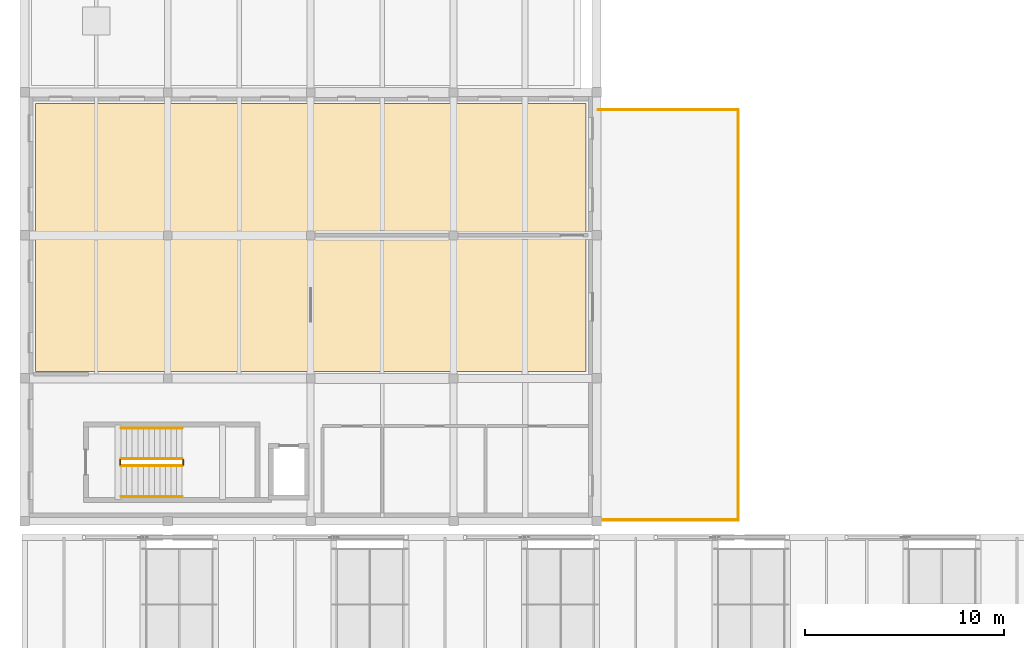
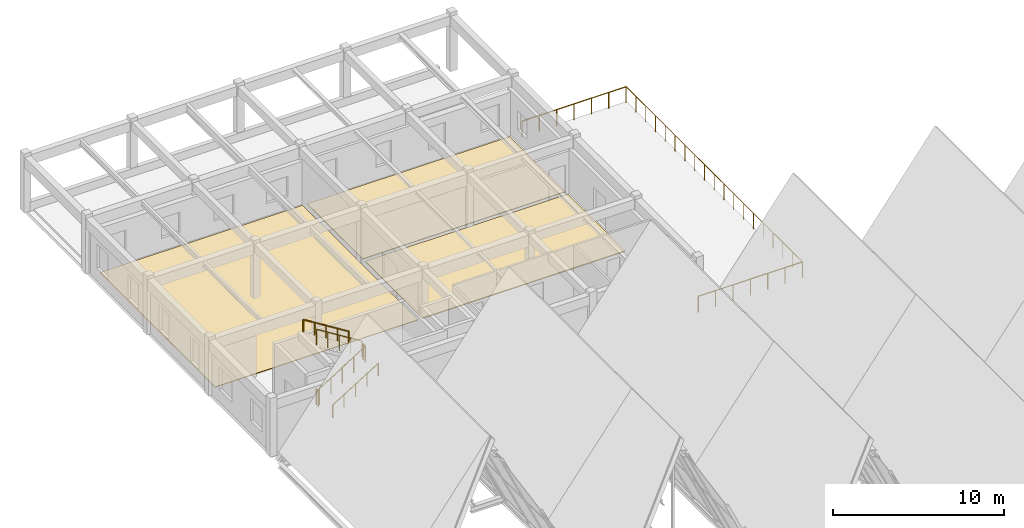
# One storey, part 94 of 99: 9 railings, 3 coverings.
"""IFC4 building model written with IfcOpenShell, lengths in metres."""

from ifc_helpers import new_model, si_unit, direction, frame, origin, origin_2d, place, context, subcontext, project, spatial, polyline, circle, outline, extrude, material, layer, layer_set, type_object, element, save


model = new_model("IFC4")

# Units and contexts
model_context = context("Model", 3, precision=1e-05, world=origin(), true_north=direction((0.0, 1.0)))
body_context = subcontext(model_context, "Body", "Model", "MODEL_VIEW")
ifc_project = project(units=[si_unit("LENGTHUNIT", "METRE"), si_unit("AREAUNIT", "SQUARE_METRE"), si_unit("VOLUMEUNIT", "CUBIC_METRE"), si_unit("PLANEANGLEUNIT", "RADIAN"), si_unit("MASSUNIT", "GRAM", prefix="KILO")], contexts=[model_context])

# Site, building, storey
site_placement = place(None, origin())
site = spatial("IfcSite", under=ifc_project, at=site_placement, CompositionType="ELEMENT")
building_placement = place(site_placement, origin())
building = spatial("IfcBuilding", under=site, at=building_placement, Name="Bramveld Media Centre", CompositionType="ELEMENT")
storey_placement = place(building_placement, frame((0.0, 0.0, 13.800048828125)))
storey = spatial("IfcBuildingStorey", under=building, at=storey_placement, Name="L03", CompositionType="ELEMENT", Elevation=13.800048828125)

# Coverings
ifc_material_1 = material(Name="Floating acoustic screed with smoked European oak studio flooring")
ifc_layer_1 = layer(ifc_material_1, 0.06494140625)
ifc_layer_set_1 = layer_set([ifc_layer_1], Name="Floating acoustic screed with smoked European oak studio flooring")
covering_type_1 = type_object("IfcCoveringType", Name="COV-FLOOR-01", PredefinedType="FLOORING", material=ifc_layer_set_1)
covering_1_placement = place(storey_placement, origin())
element("IfcCovering", 1, at=covering_1_placement, inside=storey, type_object=covering_type_1, Name="Setback Terrace Circulation Lobby finish flooring", PredefinedType="FLOORING", context=body_context, shape_type="SweptSolid", body=[
    extrude(outline(polyline([(14.550048828125, 46.75), (28.25, 46.75), (28.25, 53.449951171875), (14.550048828125, 53.449951171875), (14.550048828125, 46.75)])), origin(), (0.0, 0.0, 1.0), 0.06494140625),
])
ifc_material_2 = material(Name="Honed Belgian bluestone (petit granit) public concourse flooring", Category="masonry")
ifc_layer_2 = layer(ifc_material_2, 0.050048828125)
ifc_layer_set_2 = layer_set([ifc_layer_2], Name="Honed Belgian bluestone (petit granit) public concourse flooring")
covering_type_2 = type_object("IfcCoveringType", Name="COV-FLOOR-02", PredefinedType="FLOORING", material=ifc_layer_set_2)
covering_2_placement = place(storey_placement, origin())
element("IfcCovering", 2, at=covering_2_placement, inside=storey, type_object=covering_type_2, Name="VR & Spatial Cinema Studio finish flooring", PredefinedType="FLOORING", context=body_context, shape_type="SweptSolid", body=[
    extrude(outline(polyline([(14.550048828125, 53.75), (28.25, 53.75), (28.25, 60.25), (14.550048828125, 60.25), (14.550048828125, 53.75)])), origin(), (0.0, 0.0, 1.0), 0.050048828125),
])
ifc_material_3 = material(Name="Anti-static acoustic linoleum editing & vault flooring")
ifc_layer_3 = layer(ifc_material_3, 0.0400390625)
ifc_layer_set_3 = layer_set([ifc_layer_3], Name="Anti-static acoustic linoleum editing & vault flooring")
covering_type_3 = type_object("IfcCoveringType", Name="COV-FLOOR-03", PredefinedType="FLOORING", material=ifc_layer_set_3)
covering_3_placement = place(storey_placement, origin())
element("IfcCovering", 3, at=covering_3_placement, inside=storey, type_object=covering_type_3, Name="Screen 8 Young Audience Micro-Cinema finish flooring", PredefinedType="FLOORING", context=body_context, shape_type="SweptSolid", body=[
    extrude(outline(polyline([(0.550048828125, 46.75), (14.25, 46.75), (14.25, 60.25), (0.550048828125, 60.25), (0.550048828125, 46.75)])), origin(), (0.0, 0.0, 1.0), 0.0400390625),
])

# Railings
ifc_material_4 = material(Name="Painted galvanized steel stairwell guardrail", Category="steel")
railing_type_1 = type_object("IfcRailingType", Name="RAIL-STAIR-GUARD-1150", PredefinedType="GUARDRAIL", material=ifc_material_4)
railing_1_placement = place(storey_placement, frame((4.85009765625, 42.0, 0.175048828125)))
element("IfcRailing", 4, at=railing_1_placement, inside=storey, type_object=railing_type_1, Name="L03 ST-04 stair guard 1", PredefinedType="GUARDRAIL", context=body_context, shape_type="SweptSolid", body=[
    extrude(circle(Radius=0.02392578125, at=origin_2d()), frame((0.0, 0.0, 1.1259765625), z_axis=(0.848009633417, 0.0, 0.529980812513), x_axis=(0.0, 1.0, 0.0)), (0.0, 0.0, 1.0), 3.6318359375),
    extrude(circle(Radius=0.02099609375, at=origin_2d()), origin(), (0.0, 0.0, 1.0), 1.101806640625),
    extrude(circle(Radius=0.02099609375, at=origin_2d()), frame((0.77001953125, 0.0, 0.481201171875)), (0.0, 0.0, 1.0), 1.101806640625),
    extrude(circle(Radius=0.02099609375, at=origin_2d()), frame((1.5400390625, 0.0, 0.96240234375)), (0.0, 0.0, 1.0), 1.101806640625),
    extrude(circle(Radius=0.02099609375, at=origin_2d()), frame((2.309814453125, 0.0, 1.443603515625)), (0.0, 0.0, 1.0), 1.101806640625),
    extrude(circle(Radius=0.02099609375, at=origin_2d()), frame((3.079833984375, 0.0, 1.9248046875)), (0.0, 0.0, 1.0), 1.101806640625),
])
railing_2_placement = place(storey_placement, frame((7.97998046875, 42.050048828125, 2.099853515625)))
element("IfcRailing", 5, at=railing_2_placement, inside=storey, type_object=railing_type_1, Name="L03 ST-04 stair guard 2", PredefinedType="GUARDRAIL", context=body_context, shape_type="SweptSolid", body=[
    extrude(circle(Radius=0.02392578125, at=origin_2d()), frame((0.0, 0.0, 1.1259765625), z_axis=(0.0, 1.0, 0.0), x_axis=(-1.0, 0.0, 0.0)), (0.0, 0.0, 1.0), 0.25),
    extrude(circle(Radius=0.02099609375, at=origin_2d()), origin(), (0.0, 0.0, 1.0), 1.101806640625),
    extrude(circle(Radius=0.02099609375, at=origin_2d()), frame((0.0, 0.25, 0.0)), (0.0, 0.0, 1.0), 1.101806640625),
])
railing_3_placement = place(storey_placement, frame((7.929931640625, 42.35009765625, 2.27490234375)))
element("IfcRailing", 6, at=railing_3_placement, inside=storey, type_object=railing_type_1, Name="L03 ST-04 stair guard 3", PredefinedType="GUARDRAIL", context=body_context, shape_type="SweptSolid", body=[
    extrude(circle(Radius=0.02392578125, at=origin_2d()), frame((0.0, 0.0, 1.1259765625), z_axis=(-0.847979421464, 0.0, 0.530029150871), x_axis=(0.0, -1.0, 0.0)), (0.0, 0.0, 1.0), 3.632080078125),
    extrude(circle(Radius=0.02099609375, at=origin_2d()), origin(), (0.0, 0.0, 1.0), 1.101806640625),
    extrude(circle(Radius=0.02099609375, at=origin_2d()), frame((-0.77001953125, 0.0, 0.481201171875)), (0.0, 0.0, 1.0), 1.101806640625),
    extrude(circle(Radius=0.02099609375, at=origin_2d()), frame((-1.5400390625, 0.0, 0.96240234375)), (0.0, 0.0, 1.0), 1.101806640625),
    extrude(circle(Radius=0.02099609375, at=origin_2d()), frame((-2.309814453125, 0.0, 1.44384765625)), (0.0, 0.0, 1.0), 1.101806640625),
    extrude(circle(Radius=0.02099609375, at=origin_2d()), frame((-3.079833984375, 0.0, 1.925048828125)), (0.0, 0.0, 1.0), 1.101806640625),
])
railing_4_placement = place(storey_placement, frame((4.800048828125, 42.050048828125, 0.0)))
element("IfcRailing", 7, at=railing_4_placement, inside=storey, type_object=railing_type_1, Name="L03 ST-04 stair guard 4", PredefinedType="GUARDRAIL", context=body_context, shape_type="SweptSolid", body=[
    extrude(circle(Radius=0.02392578125, at=origin_2d()), frame((0.0, 0.0, 1.1259765625), z_axis=(0.0, 1.0, 0.0), x_axis=(-1.0, 0.0, 0.0)), (0.0, 0.0, 1.0), 0.25),
    extrude(circle(Radius=0.02099609375, at=origin_2d()), origin(), (0.0, 0.0, 1.0), 1.101806640625),
    extrude(circle(Radius=0.02099609375, at=origin_2d()), frame((0.0, 0.25, 0.0)), (0.0, 0.0, 1.0), 1.101806640625),
])
ifc_material_5 = material(Name="Brushed stainless steel tubular stair handrail", Category="steel")
railing_type_2 = type_object("IfcRailingType", Name="RAIL-STAIR-HAND-0920", PredefinedType="HANDRAIL", material=ifc_material_5)
railing_5_placement = place(storey_placement, frame((4.85009765625, 40.449951171875, 0.175048828125)))
element("IfcRailing", 8, at=railing_5_placement, inside=storey, type_object=railing_type_2, Name="L03 ST-04 stair handrail 1", PredefinedType="HANDRAIL", context=body_context, shape_type="SweptSolid", body=[
    extrude(circle(Radius=0.02392578125, at=origin_2d()), frame((0.0, 0.0, 0.8759765625), z_axis=(0.848009633417, 0.0, 0.529980812513), x_axis=(0.0, 1.0, 0.0)), (0.0, 0.0, 1.0), 3.6318359375),
    extrude(circle(Radius=0.02099609375, at=origin_2d()), origin(), (0.0, 0.0, 1.0), 0.851806640625),
    extrude(circle(Radius=0.02099609375, at=origin_2d()), frame((0.77001953125, 0.0, 0.481201171875)), (0.0, 0.0, 1.0), 0.851806640625),
    extrude(circle(Radius=0.02099609375, at=origin_2d()), frame((1.5400390625, 0.0, 0.96240234375)), (0.0, 0.0, 1.0), 0.851806640625),
    extrude(circle(Radius=0.02099609375, at=origin_2d()), frame((2.309814453125, 0.0, 1.443603515625)), (0.0, 0.0, 1.0), 0.851806640625),
    extrude(circle(Radius=0.02099609375, at=origin_2d()), frame((3.079833984375, 0.0, 1.9248046875)), (0.0, 0.0, 1.0), 0.851806640625),
])
railing_6_placement = place(storey_placement, frame((7.929931640625, 43.89990234375, 2.27490234375)))
element("IfcRailing", 9, at=railing_6_placement, inside=storey, type_object=railing_type_2, Name="L03 ST-04 stair handrail 2", PredefinedType="HANDRAIL", context=body_context, shape_type="SweptSolid", body=[
    extrude(circle(Radius=0.02392578125, at=origin_2d()), frame((0.0, 0.0, 0.8759765625), z_axis=(-0.847979421464, 0.0, 0.530029150871), x_axis=(0.0, -1.0, 0.0)), (0.0, 0.0, 1.0), 3.632080078125),
    extrude(circle(Radius=0.02099609375, at=origin_2d()), origin(), (0.0, 0.0, 1.0), 0.851806640625),
    extrude(circle(Radius=0.02099609375, at=origin_2d()), frame((-0.77001953125, 0.0, 0.481201171875)), (0.0, 0.0, 1.0), 0.851806640625),
    extrude(circle(Radius=0.02099609375, at=origin_2d()), frame((-1.5400390625, 0.0, 0.96240234375)), (0.0, 0.0, 1.0), 0.851806640625),
    extrude(circle(Radius=0.02099609375, at=origin_2d()), frame((-2.309814453125, 0.0, 1.44384765625)), (0.0, 0.0, 1.0), 0.851806640625),
    extrude(circle(Radius=0.02099609375, at=origin_2d()), frame((-3.079833984375, 0.0, 1.925048828125)), (0.0, 0.0, 1.0), 0.851806640625),
])
ifc_material_6 = material(Name="Powder-coated bronze galvanized steel balustrade", Category="steel")
railing_type_3 = type_object("IfcRailingType", Name="RAIL-TERRACE-1150", PredefinedType="GUARDRAIL", material=ifc_material_6)
railing_7_placement = place(storey_placement, frame((28.8798828125, 39.280029296875, 0.0)))
element("IfcRailing", 10, at=railing_7_placement, inside=storey, type_object=railing_type_3, Name="Cinema Setback Terrace S guardrail", PredefinedType="GUARDRAIL", context=body_context, shape_type="SweptSolid", body=[
    extrude(circle(Radius=0.02392578125, at=origin_2d()), frame((0.0, 0.0, 1.1259765625), z_axis=(1.0, 0.0, 0.0), x_axis=(0.0, 1.0, 0.0)), (0.0, 0.0, 1.0), 7.0400390625),
    extrude(circle(Radius=0.02099609375, at=origin_2d()), origin(), (0.0, 0.0, 1.0), 1.101806640625),
    extrude(circle(Radius=0.02099609375, at=origin_2d()), frame((1.17333984375, 0.0, 0.0)), (0.0, 0.0, 1.0), 1.101806640625),
    extrude(circle(Radius=0.02099609375, at=origin_2d()), frame((2.3466796875, 0.0, 0.0)), (0.0, 0.0, 1.0), 1.101806640625),
    extrude(circle(Radius=0.02099609375, at=origin_2d()), frame((3.52001953125, 0.0, 0.0)), (0.0, 0.0, 1.0), 1.101806640625),
    extrude(circle(Radius=0.02099609375, at=origin_2d()), frame((4.693359375, 0.0, 0.0)), (0.0, 0.0, 1.0), 1.101806640625),
    extrude(circle(Radius=0.02099609375, at=origin_2d()), frame((5.86669921875, 0.0, 0.0)), (0.0, 0.0, 1.0), 1.101806640625),
    extrude(circle(Radius=0.02099609375, at=origin_2d()), frame((7.0400390625, 0.0, 0.0)), (0.0, 0.0, 1.0), 1.101806640625),
])
railing_8_placement = place(storey_placement, frame((35.919921875, 39.280029296875, 0.0)))
element("IfcRailing", 11, at=railing_8_placement, inside=storey, type_object=railing_type_3, Name="Cinema Setback Terrace E guardrail", PredefinedType="GUARDRAIL", context=body_context, shape_type="SweptSolid", body=[
    extrude(circle(Radius=0.02392578125, at=origin_2d()), frame((0.0, 0.0, 1.1259765625), z_axis=(0.0, 1.0, 0.0), x_axis=(-1.0, 0.0, 0.0)), (0.0, 0.0, 1.0), 20.639892578125),
    extrude(circle(Radius=0.02099609375, at=origin_2d()), origin(), (0.0, 0.0, 1.0), 1.101806640625),
    extrude(circle(Radius=0.02099609375, at=origin_2d()), frame((0.0, 1.146728515625, 0.0)), (0.0, 0.0, 1.0), 1.101806640625),
    extrude(circle(Radius=0.02099609375, at=origin_2d()), frame((0.0, 2.293212890625, 0.0)), (0.0, 0.0, 1.0), 1.101806640625),
    extrude(circle(Radius=0.02099609375, at=origin_2d()), frame((0.0, 3.43994140625, 0.0)), (0.0, 0.0, 1.0), 1.101806640625),
    extrude(circle(Radius=0.02099609375, at=origin_2d()), frame((0.0, 4.586669921875, 0.0)), (0.0, 0.0, 1.0), 1.101806640625),
    extrude(circle(Radius=0.02099609375, at=origin_2d()), frame((0.0, 5.7333984375, 0.0)), (0.0, 0.0, 1.0), 1.101806640625),
    extrude(circle(Radius=0.02099609375, at=origin_2d()), frame((0.0, 6.8798828125, 0.0)), (0.0, 0.0, 1.0), 1.101806640625),
    extrude(circle(Radius=0.02099609375, at=origin_2d()), frame((0.0, 8.026611328125, 0.0)), (0.0, 0.0, 1.0), 1.101806640625),
    extrude(circle(Radius=0.02099609375, at=origin_2d()), frame((0.0, 9.17333984375, 0.0)), (0.0, 0.0, 1.0), 1.101806640625),
    extrude(circle(Radius=0.02099609375, at=origin_2d()), frame((0.0, 10.31982421875, 0.0)), (0.0, 0.0, 1.0), 1.101806640625),
    extrude(circle(Radius=0.02099609375, at=origin_2d()), frame((0.0, 11.466552734375, 0.0)), (0.0, 0.0, 1.0), 1.101806640625),
    extrude(circle(Radius=0.02099609375, at=origin_2d()), frame((0.0, 12.61328125, 0.0)), (0.0, 0.0, 1.0), 1.101806640625),
    extrude(circle(Radius=0.02099609375, at=origin_2d()), frame((0.0, 13.760009765625, 0.0)), (0.0, 0.0, 1.0), 1.101806640625),
    extrude(circle(Radius=0.02099609375, at=origin_2d()), frame((0.0, 14.906494140625, 0.0)), (0.0, 0.0, 1.0), 1.101806640625),
    extrude(circle(Radius=0.02099609375, at=origin_2d()), frame((0.0, 16.05322265625, 0.0)), (0.0, 0.0, 1.0), 1.101806640625),
    extrude(circle(Radius=0.02099609375, at=origin_2d()), frame((0.0, 17.199951171875, 0.0)), (0.0, 0.0, 1.0), 1.101806640625),
    extrude(circle(Radius=0.02099609375, at=origin_2d()), frame((0.0, 18.3466796875, 0.0)), (0.0, 0.0, 1.0), 1.101806640625),
    extrude(circle(Radius=0.02099609375, at=origin_2d()), frame((0.0, 19.4931640625, 0.0)), (0.0, 0.0, 1.0), 1.101806640625),
    extrude(circle(Radius=0.02099609375, at=origin_2d()), frame((0.0, 20.639892578125, 0.0)), (0.0, 0.0, 1.0), 1.101806640625),
])
railing_9_placement = place(storey_placement, frame((35.919921875, 59.919921875, 0.0)))
element("IfcRailing", 12, at=railing_9_placement, inside=storey, type_object=railing_type_3, Name="Cinema Setback Terrace N guardrail", PredefinedType="GUARDRAIL", context=body_context, shape_type="SweptSolid", body=[
    extrude(circle(Radius=0.02392578125, at=origin_2d()), frame((0.0, 0.0, 1.1259765625), z_axis=(-1.0, 0.0, 0.0), x_axis=(0.0, -1.0, 0.0)), (0.0, 0.0, 1.0), 7.0400390625),
    extrude(circle(Radius=0.02099609375, at=origin_2d()), origin(), (0.0, 0.0, 1.0), 1.101806640625),
    extrude(circle(Radius=0.02099609375, at=origin_2d()), frame((-1.17333984375, 0.0, 0.0)), (0.0, 0.0, 1.0), 1.101806640625),
    extrude(circle(Radius=0.02099609375, at=origin_2d()), frame((-2.3466796875, 0.0, 0.0)), (0.0, 0.0, 1.0), 1.101806640625),
    extrude(circle(Radius=0.02099609375, at=origin_2d()), frame((-3.52001953125, 0.0, 0.0)), (0.0, 0.0, 1.0), 1.101806640625),
    extrude(circle(Radius=0.02099609375, at=origin_2d()), frame((-4.693359375, 0.0, 0.0)), (0.0, 0.0, 1.0), 1.101806640625),
    extrude(circle(Radius=0.02099609375, at=origin_2d()), frame((-5.86669921875, 0.0, 0.0)), (0.0, 0.0, 1.0), 1.101806640625),
    extrude(circle(Radius=0.02099609375, at=origin_2d()), frame((-7.0400390625, 0.0, 0.0)), (0.0, 0.0, 1.0), 1.101806640625),
])

save(model, "model.ifc")
